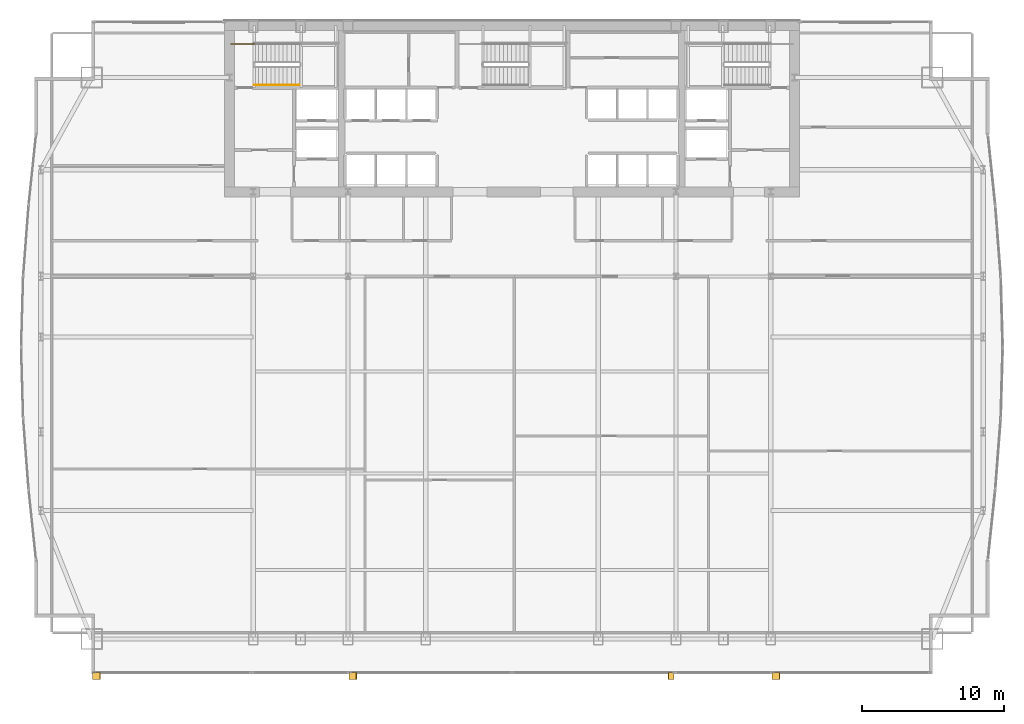
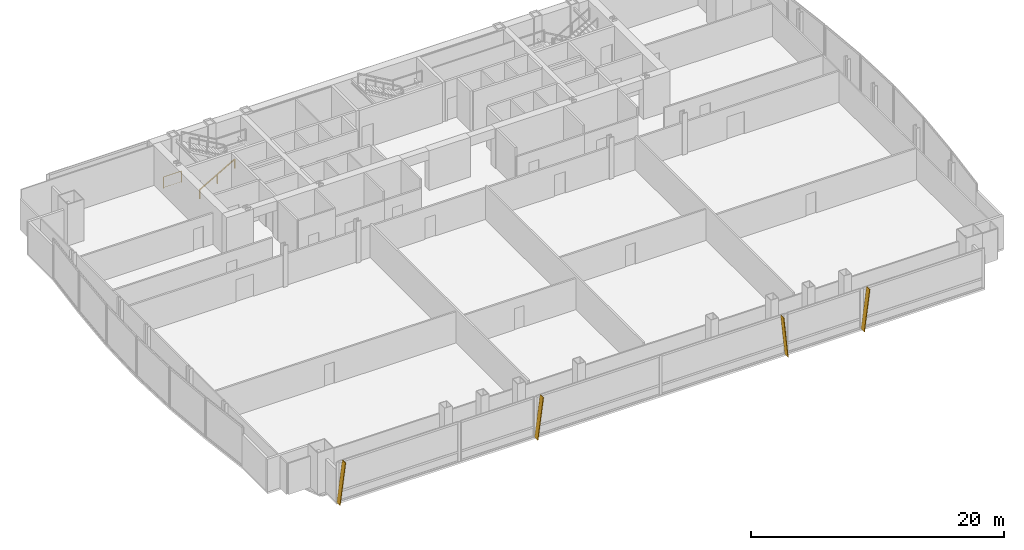
# One storey, part 29 of 30: 4 shading devices, 2 railings.
"""IFC4 building model written with IfcOpenShell, lengths in metres."""

from ifc_helpers import new_model, si_unit, direction, frame, origin, origin_2d, place, context, subcontext, project, spatial, polyline, rectangle, outline, extrude, material, layer, layer_set, type_object, element, save


model = new_model("IFC4")

# Units and contexts
model_context = context("Model", 3, precision=1e-05, world=origin(), true_north=direction((0.0, 1.0)))
body_context = subcontext(model_context, "Body", "Model", "MODEL_VIEW")
ifc_project = project(units=[si_unit("LENGTHUNIT", "METRE"), si_unit("AREAUNIT", "SQUARE_METRE"), si_unit("VOLUMEUNIT", "CUBIC_METRE"), si_unit("PLANEANGLEUNIT", "RADIAN"), si_unit("MASSUNIT", "GRAM", prefix="KILO")], contexts=[model_context])

# Site, building, storey
site_placement = place(None, origin())
site = spatial("IfcSite", under=ifc_project, at=site_placement, CompositionType="ELEMENT")
building_placement = place(site_placement, origin())
building = spatial("IfcBuilding", under=site, at=building_placement, Name="Khoronbel Lancet Exchange", CompositionType="ELEMENT")
storey_placement = place(building_placement, frame((0.0, 0.0, 98.60009765625)))
storey = spatial("IfcBuildingStorey", under=building, at=storey_placement, Name="L23", CompositionType="ELEMENT", Elevation=98.60009765625)

# Railings
ifc_material_1 = material(Name="Painted Steel Balustrade", Category="steel")
railing_type_1 = type_object("IfcRailingType", Name="RL-STG110", PredefinedType="GUARDRAIL", material=ifc_material_1)
railing_1_placement = place(storey_placement, frame((16.64990234375, 52.050048828125, 0.0)))
element("IfcRailing", 1, at=railing_1_placement, inside=storey, type_object=railing_type_1, Name="L23 ST1 stair guard 6", PredefinedType="GUARDRAIL", context=body_context, shape_type="SweptSolid", body=[
    extrude(rectangle(XDim=0.048095703125, YDim=0.048095703125, at=origin_2d()), frame((0.0, 0.0, 1.09619140625), z_axis=(1.0, 0.0, 0.0), x_axis=(0.0, 1.0, 0.0)), (0.0, 0.0, 1.0), 1.650146484375),
    extrude(rectangle(XDim=0.02392578125, YDim=0.02392578125, at=origin_2d()), frame((0.0, 0.0, 0.080078125), z_axis=(1.0, 0.0, 0.0), x_axis=(0.0, 1.0, 0.0)), (0.0, 0.0, 1.0), 1.650146484375),
    extrude(rectangle(XDim=0.0419921875, YDim=0.0419921875, at=origin_2d()), origin(), (0.0, 0.0, 1.0), 1.072021484375),
    extrude(rectangle(XDim=0.0419921875, YDim=0.0419921875, at=origin_2d()), frame((1.650146484375, 0.0, 0.0)), (0.0, 0.0, 1.0), 1.072021484375),
])
ifc_material_2 = material(Name="Brushed Stainless Steel 316", Category="steel")
railing_type_2 = type_object("IfcRailingType", Name="RL-STH92", PredefinedType="HANDRAIL", material=ifc_material_2)
railing_2_placement = place(storey_placement, frame((18.300048828125, 49.169921875, 0.16650390625)))
element("IfcRailing", 2, at=railing_2_placement, inside=storey, type_object=railing_type_2, Name="L23 ST1 stair handrail 1", PredefinedType="HANDRAIL", context=body_context, shape_type="SweptSolid", body=[
    extrude(rectangle(XDim=0.048095703125, YDim=0.048095703125, at=origin_2d()), frame((0.0, 0.0, 0.8759765625), z_axis=(0.86699087805, 0.0, 0.498324008431), x_axis=(0.0, 1.0, 0.0)), (0.0, 0.0, 1.0), 3.679443359375),
    extrude(rectangle(XDim=0.0419921875, YDim=0.0419921875, at=origin_2d()), origin(), (0.0, 0.0, 1.0), 0.851806640625),
    extrude(rectangle(XDim=0.0419921875, YDim=0.0419921875, at=origin_2d()), frame((1.594970703125, 0.0, 0.916748046875)), (0.0, 0.0, 1.0), 0.851806640625),
    extrude(rectangle(XDim=0.0419921875, YDim=0.0419921875, at=origin_2d()), frame((3.18994140625, 0.0, 1.83349609375)), (0.0, 0.0, 1.0), 0.851806640625),
])

# Shading devices
ifc_material_3 = material(Name="Bronze-Anodised Aluminium 6063-T6", Category="aluminium")
ifc_layer = layer(ifc_material_3, 0.054931640625, Name="Bronze-Anodised Aluminium 6063-T6")
ifc_layer_set = layer_set([ifc_layer], Name="Bronze-Anodised Aluminium 6063-T6")
shading_device_type = type_object("IfcShadingDeviceType", Name="SHD-FIN1", PredefinedType="USERDEFINED", material=ifc_layer_set)
for number, where, z_axis, x_axis, name in (
    (3, (6.91259765625, 7.81005859375, -0.080078125), (-0.991889216598, 0.0, 0.127105397195), (0.0, -1.0, 0.0), "Slanted bronze solar fin CW-L23-SWV-0"),
    (4, (24.972412109375, 7.81005859375, -0.080078125), (-0.991881465906, 0.0, 0.127165866462), (0.0, -1.0, 0.0), "Slanted bronze solar fin CW-L23-SCV-0"),
):
    element("IfcShadingDevice", number, at=place(storey_placement, frame(where, z_axis=z_axis, x_axis=x_axis)), inside=storey, type_object=shading_device_type, Name=name, ObjectType="FIN", PredefinedType="USERDEFINED", context=body_context, shape_type="SweptSolid", body=[
        extrude(outline(polyline([(0.0, 0.0), (0.52001953125, 0.0), (0.52001953125, 3.97216796875), (0.0, 3.97216796875), (0.0, 0.0)])), origin(), (0.0, 0.0, -1.0), 0.054931640625),
    ])
shading_device_1_placement = place(storey_placement, frame((47.87255859375, 7.81005859375, -0.080078125), z_axis=(0.995011517869, 0.0, 0.099760108806), x_axis=(0.0, -1.0, 0.0)))
element("IfcShadingDevice", 5, at=shading_device_1_placement, inside=storey, type_object=shading_device_type, Name="Slanted bronze solar fin CW-L23-SCV-2", ObjectType="FIN", PredefinedType="USERDEFINED", context=body_context, shape_type="SweptSolid", body=[
    extrude(outline(polyline([(0.0, 0.0), (0.52001953125, 0.0), (0.52001953125, -3.959716796875), (0.0, -3.959716796875), (0.0, 0.0)])), origin(), (0.0, 0.0, -1.0), 0.054931640625),
])
shading_device_2_placement = place(storey_placement, frame((54.7724609375, 7.81005859375, -0.080078125), z_axis=(-0.991881465906, 0.0, 0.127165866462), x_axis=(0.0, -1.0, 0.0)))
element("IfcShadingDevice", 6, at=shading_device_2_placement, inside=storey, type_object=shading_device_type, Name="Slanted bronze solar fin CW-L23-SEV-0", ObjectType="FIN", PredefinedType="USERDEFINED", context=body_context, shape_type="SweptSolid", body=[
    extrude(outline(polyline([(0.0, 0.0), (0.52001953125, 0.0), (0.52001953125, 3.97216796875), (0.0, 3.97216796875), (0.0, 0.0)])), origin(), (0.0, 0.0, -1.0), 0.054931640625),
])

save(model, "model.ifc")
